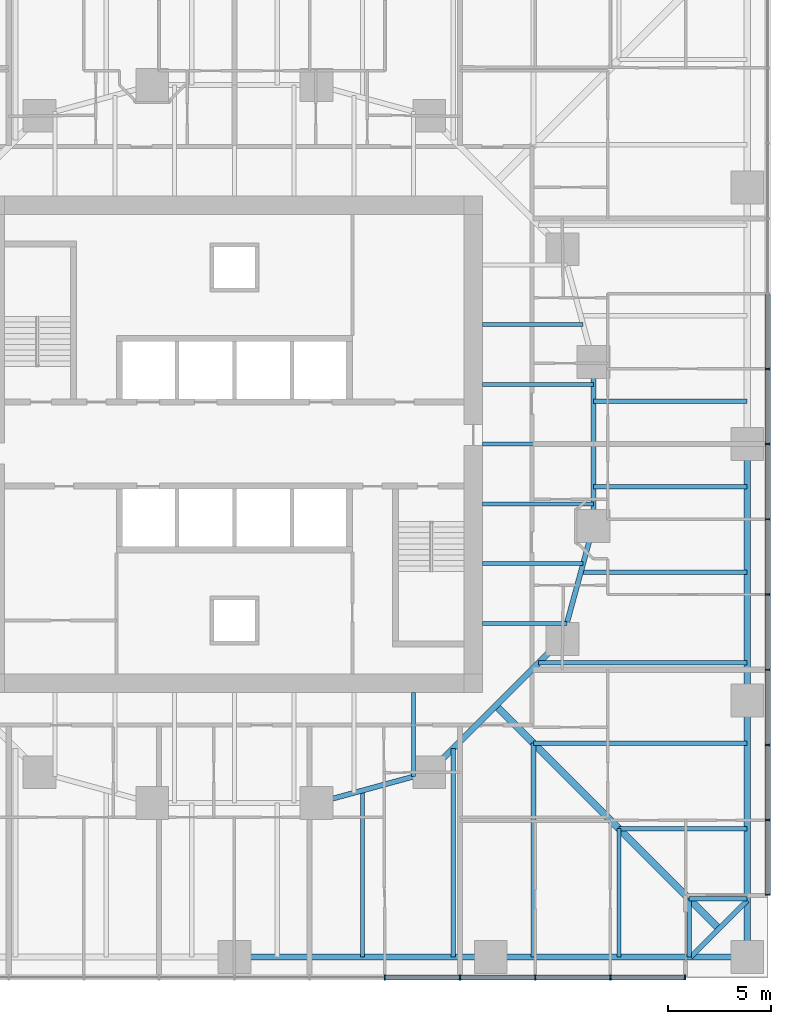
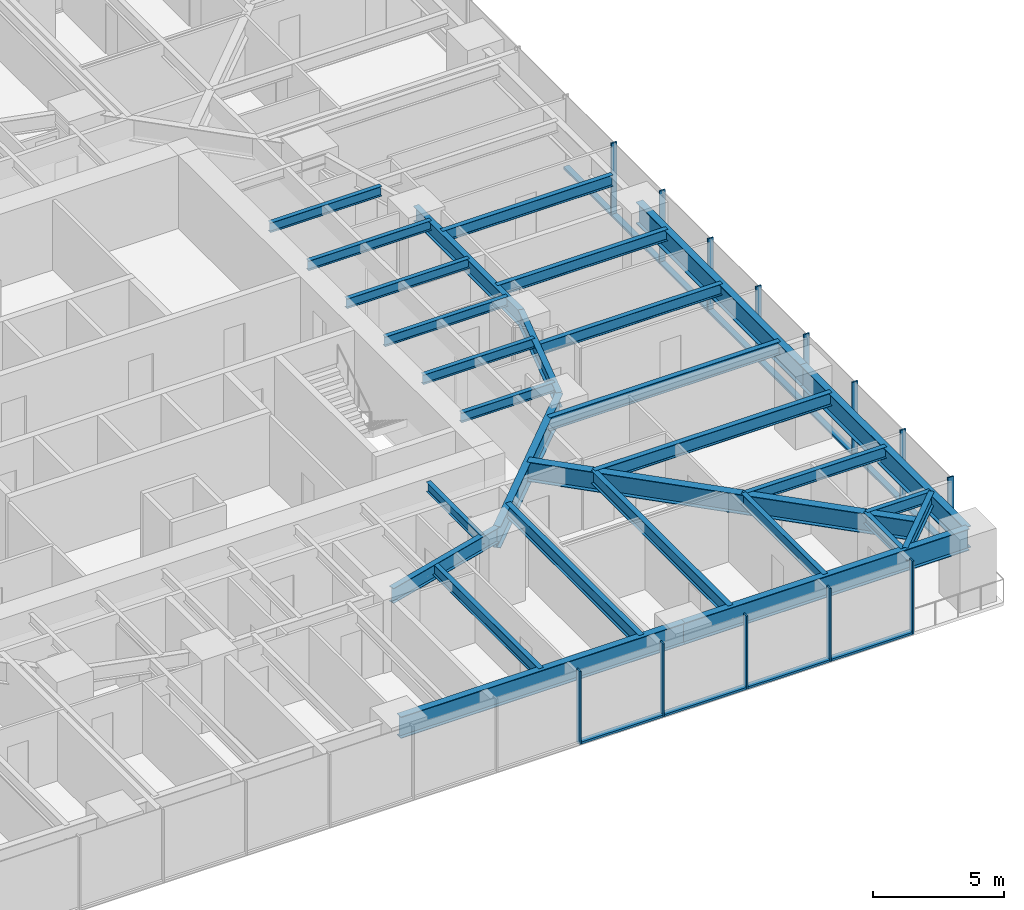
# One storey, part 4 of 16: 29 beams, 25 members, 2 elements without a shape of their own.
"""IFC4 building model written with IfcOpenShell, lengths in metres."""

from ifc_helpers import new_model, si_unit, direction, frame, origin, origin_2d, place, context, subcontext, project, spatial, rectangle, i_section, extrude, material, material_profile, profile_set, type_object, element, aggregate, save


model = new_model("IFC4")

# Units and contexts
model_context = context("Model", 3, precision=1e-05, world=origin(), true_north=direction((0.0, 1.0)))
body_context = subcontext(model_context, "Body", "Model", "MODEL_VIEW")
ifc_project = project(units=[si_unit("LENGTHUNIT", "METRE"), si_unit("AREAUNIT", "SQUARE_METRE"), si_unit("VOLUMEUNIT", "CUBIC_METRE"), si_unit("PLANEANGLEUNIT", "RADIAN"), si_unit("MASSUNIT", "GRAM", prefix="KILO")], contexts=[model_context])

# Site, building, storey
site_placement = place(None, origin())
site = spatial("IfcSite", under=ifc_project, at=site_placement, CompositionType="ELEMENT")
building_placement = place(site_placement, origin())
building = spatial("IfcBuilding", under=site, at=building_placement, Name="Torsade Residences", CompositionType="ELEMENT")
storey_placement = place(building_placement, frame((0.0, 0.0, 35.39990234375)))
storey = spatial("IfcBuildingStorey", under=building, at=storey_placement, Name="L09", CompositionType="ELEMENT", Elevation=35.39990234375)

# Beams
ifc_material_1 = material(Name="Steel grade 300", Category="steel")
ifc_material_profile_1 = material_profile(ifc_material_1, i_section(OverallWidth=0.35009765625, OverallDepth=0.909912109375, WebThickness=0.011962890625, FlangeThickness=0.02490234375, at=origin_2d()), Name="900WB218")
ifc_profile_set_1 = profile_set([ifc_material_profile_1], Name="Steel grade 300")
beam_type_1 = type_object("IfcBeamType", Name="CORNER GIRDER 900WB218", PredefinedType="BEAM", material=ifc_profile_set_1)
beam_1_placement = place(storey_placement, frame((63.625, 6.375, 2.795166015625), z_axis=(-0.707106781187, 0.707106781187, 0.0), x_axis=(-0.707106781187, -0.707106781187, 0.0)))
element("IfcBeam", 1, at=beam_1_placement, inside=storey, type_object=beam_type_1, Name="Corner girder 05 L10", PredefinedType="BEAM", context=body_context, shape_type="SweptSolid", body=[
    extrude(i_section(OverallWidth=0.35009765625, OverallDepth=0.909912109375, WebThickness=0.011962890625, FlangeThickness=0.02490234375, at=origin_2d()), origin(), (0.0, 0.0, 1.0), 15.379638671875),
])
ifc_material_2 = material(Name="Steel grade 300", Category="steel")
ifc_material_profile_2 = material_profile(ifc_material_2, i_section(OverallWidth=0.22802734375, OverallDepth=0.60205078125, WebThickness=0.010498046875, FlangeThickness=0.014892578125, FilletRadius=0.013916015625, at=origin_2d()), Name="610UB101")
ifc_profile_set_2 = profile_set([ifc_material_profile_2], Name="Steel grade 300")
beam_type_2 = type_object("IfcBeamType", Name="CORNER TRIMMER 610UB101", PredefinedType="BEAM", material=ifc_profile_set_2)
beam_2_placement = place(storey_placement, frame((65.0, 7.75, 2.94921875), z_axis=(-0.707106781187, -0.707106781187, 0.0), x_axis=(0.707106781187, -0.707106781187, 0.0)))
element("IfcBeam", 2, at=beam_2_placement, inside=storey, type_object=beam_type_2, Name="Corner trimmer 05 L10", PredefinedType="BEAM", context=body_context, shape_type="SweptSolid", body=[
    extrude(i_section(OverallWidth=0.22802734375, OverallDepth=0.60205078125, WebThickness=0.010498046875, FlangeThickness=0.014892578125, FilletRadius=0.013916015625, at=origin_2d()), origin(), (0.0, 0.0, 1.0), 3.88916015625),
])

# Curtain wall, members
ifc_material_3 = material(Name="Aluminium and glass", Category="aluminium")
curtain_wall_type = type_object("IfcCurtainWallType", Name="FRITTED GLASS CURTAIN WALL LOW ZONE", PredefinedType="NOTDEFINED", material=ifc_material_3)
curtain_wall_1_placement = place(storey_placement, origin())
curtain_wall_1 = element("IfcCurtainWall", 3, at=curtain_wall_1_placement, inside=storey, type_object=curtain_wall_type, Name="Curtain wall L09 face 1", PredefinedType="NOTDEFINED")
ifc_material_4 = material(Name="Aluminium mullion", Category="aluminium")
ifc_material_profile_3 = material_profile(ifc_material_4, rectangle(XDim=0.25, YDim=0.06494140625, at=origin_2d()), Name="CURTAIN WALL MULLION 250x65")
ifc_profile_set_3 = profile_set([ifc_material_profile_3], Name="Aluminium mullion")
member_type_1 = type_object("IfcMemberType", Name="CURTAIN WALL MULLION 250x65", PredefinedType="MULLION", material=ifc_profile_set_3)
member_1_placement = place(storey_placement, frame((47.333251953125, 4.0, 0.0), z_axis=(0.0, 0.0, 1.0), x_axis=(0.0, 1.0, 0.0)))
member_1 = element("IfcMember", 4, at=member_1_placement, type_object=member_type_1, Name="Mullion 9", PredefinedType="MULLION", context=body_context, shape_type="SweptSolid", body=[
    extrude(rectangle(XDim=0.25, YDim=0.06494140625, at=origin_2d()), origin(), (0.0, 0.0, 1.0), 3.400146484375),
])
member_2_placement = place(storey_placement, frame((51.0, 4.0, 0.0), z_axis=(0.0, 0.0, 1.0), x_axis=(0.0, 1.0, 0.0)))
member_2 = element("IfcMember", 5, at=member_2_placement, type_object=member_type_1, Name="Mullion 10", PredefinedType="MULLION", context=body_context, shape_type="SweptSolid", body=[
    extrude(rectangle(XDim=0.25, YDim=0.06494140625, at=origin_2d()), origin(), (0.0, 0.0, 1.0), 3.400146484375),
])
member_3_placement = place(storey_placement, frame((54.666748046875, 4.0, 0.0), z_axis=(0.0, 0.0, 1.0), x_axis=(0.0, 1.0, 0.0)))
member_3 = element("IfcMember", 6, at=member_3_placement, type_object=member_type_1, Name="Mullion 11", PredefinedType="MULLION", context=body_context, shape_type="SweptSolid", body=[
    extrude(rectangle(XDim=0.25, YDim=0.06494140625, at=origin_2d()), origin(), (0.0, 0.0, 1.0), 3.400146484375),
])
member_4_placement = place(storey_placement, frame((58.333251953125, 4.0, 0.0), z_axis=(0.0, 0.0, 1.0), x_axis=(0.0, 1.0, 0.0)))
member_4 = element("IfcMember", 7, at=member_4_placement, type_object=member_type_1, Name="Mullion 12", PredefinedType="MULLION", context=body_context, shape_type="SweptSolid", body=[
    extrude(rectangle(XDim=0.25, YDim=0.06494140625, at=origin_2d()), origin(), (0.0, 0.0, 1.0), 3.400146484375),
])
member_5_placement = place(storey_placement, frame((61.967529296875, 4.0, 0.0), z_axis=(0.0, 0.0, 1.0), x_axis=(0.0, 1.0, 0.0)))
member_5 = element("IfcMember", 8, at=member_5_placement, type_object=member_type_1, Name="Mullion 13", PredefinedType="MULLION", context=body_context, shape_type="SweptSolid", body=[
    extrude(rectangle(XDim=0.25, YDim=0.06494140625, at=origin_2d()), origin(), (0.0, 0.0, 1.0), 3.400146484375),
])

curtain_wall_2_placement = place(storey_placement, origin())
curtain_wall_2 = element("IfcCurtainWall", 9, at=curtain_wall_2_placement, inside=storey, type_object=curtain_wall_type, Name="Curtain wall L09 face 4", PredefinedType="NOTDEFINED")
member_6_placement = place(storey_placement, frame((66.0, 8.032470703125, 0.0), z_axis=(0.0, 0.0, 1.0), x_axis=(-1.0, 0.0, 0.0)))
member_6 = element("IfcMember", 10, at=member_6_placement, type_object=member_type_1, Name="Mullion 1", PredefinedType="MULLION", context=body_context, shape_type="SweptSolid", body=[
    extrude(rectangle(XDim=0.25, YDim=0.06494140625, at=origin_2d()), origin(), (0.0, 0.0, 1.0), 3.400146484375),
])
member_7_placement = place(storey_placement, frame((66.0, 11.666748046875, 0.0), z_axis=(0.0, 0.0, 1.0), x_axis=(-1.0, 0.0, 0.0)))
member_7 = element("IfcMember", 11, at=member_7_placement, type_object=member_type_1, Name="Mullion 2", PredefinedType="MULLION", context=body_context, shape_type="SweptSolid", body=[
    extrude(rectangle(XDim=0.25, YDim=0.06494140625, at=origin_2d()), origin(), (0.0, 0.0, 1.0), 3.400146484375),
])
member_8_placement = place(storey_placement, frame((66.0, 15.333251953125, 0.0), z_axis=(0.0, 0.0, 1.0), x_axis=(-1.0, 0.0, 0.0)))
member_8 = element("IfcMember", 12, at=member_8_placement, type_object=member_type_1, Name="Mullion 3", PredefinedType="MULLION", context=body_context, shape_type="SweptSolid", body=[
    extrude(rectangle(XDim=0.25, YDim=0.06494140625, at=origin_2d()), origin(), (0.0, 0.0, 1.0), 3.400146484375),
])
member_9_placement = place(storey_placement, frame((66.0, 19.0, 0.0), z_axis=(0.0, 0.0, 1.0), x_axis=(-1.0, 0.0, 0.0)))
member_9 = element("IfcMember", 13, at=member_9_placement, type_object=member_type_1, Name="Mullion 4", PredefinedType="MULLION", context=body_context, shape_type="SweptSolid", body=[
    extrude(rectangle(XDim=0.25, YDim=0.06494140625, at=origin_2d()), origin(), (0.0, 0.0, 1.0), 3.400146484375),
])
member_10_placement = place(storey_placement, frame((66.0, 22.666748046875, 0.0), z_axis=(0.0, 0.0, 1.0), x_axis=(-1.0, 0.0, 0.0)))
member_10 = element("IfcMember", 14, at=member_10_placement, type_object=member_type_1, Name="Mullion 5", PredefinedType="MULLION", context=body_context, shape_type="SweptSolid", body=[
    extrude(rectangle(XDim=0.25, YDim=0.06494140625, at=origin_2d()), origin(), (0.0, 0.0, 1.0), 3.400146484375),
])
member_11_placement = place(storey_placement, frame((66.0, 26.333251953125, 0.0), z_axis=(0.0, 0.0, 1.0), x_axis=(-1.0, 0.0, 0.0)))
member_11 = element("IfcMember", 15, at=member_11_placement, type_object=member_type_1, Name="Mullion 6", PredefinedType="MULLION", context=body_context, shape_type="SweptSolid", body=[
    extrude(rectangle(XDim=0.25, YDim=0.06494140625, at=origin_2d()), origin(), (0.0, 0.0, 1.0), 3.400146484375),
])
member_12_placement = place(storey_placement, frame((66.0, 30.0, 0.0), z_axis=(0.0, 0.0, 1.0), x_axis=(-1.0, 0.0, 0.0)))
member_12 = element("IfcMember", 16, at=member_12_placement, type_object=member_type_1, Name="Mullion 7", PredefinedType="MULLION", context=body_context, shape_type="SweptSolid", body=[
    extrude(rectangle(XDim=0.25, YDim=0.06494140625, at=origin_2d()), origin(), (0.0, 0.0, 1.0), 3.400146484375),
])
member_13_placement = place(storey_placement, frame((66.0, 33.666748046875, 0.0), z_axis=(0.0, 0.0, 1.0), x_axis=(-1.0, 0.0, 0.0)))
member_13 = element("IfcMember", 17, at=member_13_placement, type_object=member_type_1, Name="Mullion 8", PredefinedType="MULLION", context=body_context, shape_type="SweptSolid", body=[
    extrude(rectangle(XDim=0.25, YDim=0.06494140625, at=origin_2d()), origin(), (0.0, 0.0, 1.0), 3.400146484375),
])

# Member
ifc_material_5 = material(Name="Aluminium transom", Category="aluminium")
ifc_material_profile_4 = material_profile(ifc_material_5, rectangle(XDim=0.25, YDim=0.10009765625, at=origin_2d()), Name="CURTAIN WALL TRANSOM 250x100")
ifc_profile_set_4 = profile_set([ifc_material_profile_4], Name="Aluminium transom")
member_type_2 = type_object("IfcMemberType", Name="CURTAIN WALL TRANSOM 250x100", PredefinedType="USERDEFINED", material=ifc_profile_set_4)
member_14_placement = place(storey_placement, frame((47.36572265625, 4.0, 0.050048828125), z_axis=(1.0, 0.0, 0.0), x_axis=(0.0, 1.0, 0.0)))
member_14 = element("IfcMember", 18, at=member_14_placement, type_object=member_type_2, Name="Transom 9.1", ObjectType="TRANSOM", PredefinedType="USERDEFINED", context=body_context, shape_type="SweptSolid", body=[
    extrude(rectangle(XDim=0.25, YDim=0.10009765625, at=origin_2d()), origin(), (0.0, 0.0, 1.0), 3.601806640625),
])

member_15_placement = place(storey_placement, frame((51.032470703125, 4.0, 0.050048828125), z_axis=(1.0, 0.0, 0.0), x_axis=(0.0, 1.0, 0.0)))
member_15 = element("IfcMember", 19, at=member_15_placement, type_object=member_type_2, Name="Transom 10.1", ObjectType="TRANSOM", PredefinedType="USERDEFINED", context=body_context, shape_type="SweptSolid", body=[
    extrude(rectangle(XDim=0.25, YDim=0.10009765625, at=origin_2d()), origin(), (0.0, 0.0, 1.0), 3.601806640625),
])

member_16_placement = place(storey_placement, frame((54.69921875, 4.0, 0.050048828125), z_axis=(1.0, 0.0, 0.0), x_axis=(0.0, 1.0, 0.0)))
member_16 = element("IfcMember", 20, at=member_16_placement, type_object=member_type_2, Name="Transom 11.1", ObjectType="TRANSOM", PredefinedType="USERDEFINED", context=body_context, shape_type="SweptSolid", body=[
    extrude(rectangle(XDim=0.25, YDim=0.10009765625, at=origin_2d()), origin(), (0.0, 0.0, 1.0), 3.6015625),
])

member_17_placement = place(storey_placement, frame((58.36572265625, 4.0, 0.050048828125), z_axis=(1.0, 0.0, 0.0), x_axis=(0.0, 1.0, 0.0)))
member_17 = element("IfcMember", 21, at=member_17_placement, type_object=member_type_2, Name="Transom 12.1", ObjectType="TRANSOM", PredefinedType="USERDEFINED", context=body_context, shape_type="SweptSolid", body=[
    extrude(rectangle(XDim=0.25, YDim=0.10009765625, at=origin_2d()), origin(), (0.0, 0.0, 1.0), 3.5693359375),
])

aggregate(curtain_wall_1, [member_1, member_2, member_3, member_4, member_5, member_14, member_15, member_16, member_17])

member_18_placement = place(storey_placement, frame((66.0, 8.06494140625, 0.050048828125), z_axis=(0.0, 1.0, 0.0), x_axis=(-1.0, 0.0, 0.0)))
member_18 = element("IfcMember", 22, at=member_18_placement, type_object=member_type_2, Name="Transom 1.1", ObjectType="TRANSOM", PredefinedType="USERDEFINED", context=body_context, shape_type="SweptSolid", body=[
    extrude(rectangle(XDim=0.25, YDim=0.10009765625, at=origin_2d()), origin(), (0.0, 0.0, 1.0), 3.5693359375),
])

member_19_placement = place(storey_placement, frame((66.0, 11.69921875, 0.050048828125), z_axis=(0.0, 1.0, 0.0), x_axis=(-1.0, 0.0, 0.0)))
member_19 = element("IfcMember", 23, at=member_19_placement, type_object=member_type_2, Name="Transom 2.1", ObjectType="TRANSOM", PredefinedType="USERDEFINED", context=body_context, shape_type="SweptSolid", body=[
    extrude(rectangle(XDim=0.25, YDim=0.10009765625, at=origin_2d()), origin(), (0.0, 0.0, 1.0), 3.6015625),
])

member_20_placement = place(storey_placement, frame((66.0, 15.36572265625, 0.050048828125), z_axis=(0.0, 1.0, 0.0), x_axis=(-1.0, 0.0, 0.0)))
member_20 = element("IfcMember", 24, at=member_20_placement, type_object=member_type_2, Name="Transom 3.1", ObjectType="TRANSOM", PredefinedType="USERDEFINED", context=body_context, shape_type="SweptSolid", body=[
    extrude(rectangle(XDim=0.25, YDim=0.10009765625, at=origin_2d()), origin(), (0.0, 0.0, 1.0), 3.601806640625),
])

member_21_placement = place(storey_placement, frame((66.0, 19.032470703125, 0.050048828125), z_axis=(0.0, 1.0, 0.0), x_axis=(-1.0, 0.0, 0.0)))
member_21 = element("IfcMember", 25, at=member_21_placement, type_object=member_type_2, Name="Transom 4.1", ObjectType="TRANSOM", PredefinedType="USERDEFINED", context=body_context, shape_type="SweptSolid", body=[
    extrude(rectangle(XDim=0.25, YDim=0.10009765625, at=origin_2d()), origin(), (0.0, 0.0, 1.0), 3.601806640625),
])

member_22_placement = place(storey_placement, frame((66.0, 22.69921875, 0.050048828125), z_axis=(0.0, 1.0, 0.0), x_axis=(-1.0, 0.0, 0.0)))
member_22 = element("IfcMember", 26, at=member_22_placement, type_object=member_type_2, Name="Transom 5.1", ObjectType="TRANSOM", PredefinedType="USERDEFINED", context=body_context, shape_type="SweptSolid", body=[
    extrude(rectangle(XDim=0.25, YDim=0.10009765625, at=origin_2d()), origin(), (0.0, 0.0, 1.0), 3.6015625),
])

member_23_placement = place(storey_placement, frame((66.0, 26.36572265625, 0.050048828125), z_axis=(0.0, 1.0, 0.0), x_axis=(-1.0, 0.0, 0.0)))
member_23 = element("IfcMember", 27, at=member_23_placement, type_object=member_type_2, Name="Transom 6.1", ObjectType="TRANSOM", PredefinedType="USERDEFINED", context=body_context, shape_type="SweptSolid", body=[
    extrude(rectangle(XDim=0.25, YDim=0.10009765625, at=origin_2d()), origin(), (0.0, 0.0, 1.0), 3.601806640625),
])

member_24_placement = place(storey_placement, frame((66.0, 30.032470703125, 0.050048828125), z_axis=(0.0, 1.0, 0.0), x_axis=(-1.0, 0.0, 0.0)))
member_24 = element("IfcMember", 28, at=member_24_placement, type_object=member_type_2, Name="Transom 7.1", ObjectType="TRANSOM", PredefinedType="USERDEFINED", context=body_context, shape_type="SweptSolid", body=[
    extrude(rectangle(XDim=0.25, YDim=0.10009765625, at=origin_2d()), origin(), (0.0, 0.0, 1.0), 3.601806640625),
])

member_25_placement = place(storey_placement, frame((66.0, 33.69921875, 0.050048828125), z_axis=(0.0, 1.0, 0.0), x_axis=(-1.0, 0.0, 0.0)))
member_25 = element("IfcMember", 29, at=member_25_placement, type_object=member_type_2, Name="Transom 8.1", ObjectType="TRANSOM", PredefinedType="USERDEFINED", context=body_context, shape_type="SweptSolid", body=[
    extrude(rectangle(XDim=0.25, YDim=0.10009765625, at=origin_2d()), origin(), (0.0, 0.0, 1.0), 3.6015625),
])

aggregate(curtain_wall_2, [member_6, member_7, member_8, member_9, member_10, member_11, member_12, member_13, member_18, member_19, member_20, member_21, member_22, member_23, member_24, member_25])

# Beams
ifc_material_6 = material(Name="Steel grade 300", Category="steel")
ifc_material_profile_5 = material_profile(ifc_material_6, i_section(OverallWidth=0.300048828125, OverallDepth=1.0, WebThickness=0.01611328125, FlangeThickness=0.028076171875, at=origin_2d()), Name="1000WB215")
ifc_profile_set_5 = profile_set([ifc_material_profile_5], Name="Steel grade 300")
beam_type_3 = type_object("IfcBeamType", Name="EDGE BEAM 1000WB215", PredefinedType="SPANDREL", material=ifc_profile_set_5)
for number, where, z_axis, x_axis, name in (
    (30, (40.0, 5.0, 2.75), (1.0, 0.0, 0.0), (0.0, 1.0, 0.0), "Edge beam 03 L10"),
    (31, (52.5, 5.0, 2.75), (1.0, 0.0, 0.0), (0.0, 1.0, 0.0), "Edge beam 04 L10"),
    (32, (65.0, 5.0, 2.75), (0.0, 1.0, 0.0), (-1.0, 0.0, 0.0), "Edge beam 05 L10"),
    (33, (65.0, 17.5, 2.75), (0.0, 1.0, 0.0), (-1.0, 0.0, 0.0), "Edge beam 06 L10"),
):
    element("IfcBeam", number, at=place(storey_placement, frame(where, z_axis=z_axis, x_axis=x_axis)), inside=storey, type_object=beam_type_3, Name=name, PredefinedType="SPANDREL", context=body_context, shape_type="SweptSolid", body=[
        extrude(i_section(OverallWidth=0.300048828125, OverallDepth=1.0, WebThickness=0.01611328125, FlangeThickness=0.028076171875, at=origin_2d()), origin(), (0.0, 0.0, 1.0), 12.5),
    ])
ifc_material_7 = material(Name="Steel grade 300", Category="steel")
ifc_material_profile_6 = material_profile(ifc_material_7, i_section(OverallWidth=0.18994140625, OverallDepth=0.4541015625, WebThickness=0.008544921875, FlangeThickness=0.0126953125, FilletRadius=0.011474609375, at=origin_2d()), Name="460UB67.1")
ifc_profile_set_6 = profile_set([ifc_material_profile_6], Name="Steel grade 300")
beam_type_4 = type_object("IfcBeamType", Name="INNER FLOOR BEAM 460UB67.1", PredefinedType="JOIST", material=ifc_profile_set_6)
for number, where, z_axis, x_axis, name in (
    (34, (48.737548828125, 17.89990234375, 3.023193359375), (0.0, -1.0, 0.0), (1.0, 0.0, 0.0), "Inner floor beam IS01 L10"),
    (35, (52.10009765625, 21.262451171875, 3.023193359375), (1.0, 0.0, 0.0), (0.0, 1.0, 0.0), "Inner floor beam IE01 L10"),
):
    element("IfcBeam", number, at=place(storey_placement, frame(where, z_axis=z_axis, x_axis=x_axis)), inside=storey, type_object=beam_type_4, Name=name, PredefinedType="JOIST", context=body_context, shape_type="SweptSolid", body=[
        extrude(i_section(OverallWidth=0.18994140625, OverallDepth=0.4541015625, WebThickness=0.008544921875, FlangeThickness=0.0126953125, FilletRadius=0.011474609375, at=origin_2d()), origin(), (0.0, 0.0, 1.0), 4.10791015625),
    ])
beam_3_placement = place(storey_placement, frame((52.10009765625, 24.175048828125, 3.023193359375), z_axis=(1.0, 0.0, 0.0), x_axis=(0.0, 1.0, 0.0)))
element("IfcBeam", 36, at=beam_3_placement, inside=storey, type_object=beam_type_4, Name="Inner floor beam IE02 L10", PredefinedType="JOIST", context=body_context, shape_type="SweptSolid", body=[
    extrude(i_section(OverallWidth=0.18994140625, OverallDepth=0.4541015625, WebThickness=0.008544921875, FlangeThickness=0.0126953125, FilletRadius=0.011474609375, at=origin_2d()), origin(), (0.0, 0.0, 1.0), 4.902099609375),
])
for number, where, z_axis, x_axis, name in (
    (37, (52.10009765625, 27.08740234375, 3.023193359375), (1.0, 0.0, 0.0), (0.0, 1.0, 0.0), "Inner floor beam IE03 L10"),
    (38, (52.10009765625, 30.0, 3.023193359375), (1.0, 0.0, 0.0), (0.0, 1.0, 0.0), "Inner floor beam IE04 L10"),
    (39, (52.10009765625, 32.91259765625, 3.023193359375), (1.0, 0.0, 0.0), (0.0, 1.0, 0.0), "Inner floor beam IE05 L10"),
):
    element("IfcBeam", number, at=place(storey_placement, frame(where, z_axis=z_axis, x_axis=x_axis)), inside=storey, type_object=beam_type_4, Name=name, PredefinedType="JOIST", context=body_context, shape_type="SweptSolid", body=[
        extrude(i_section(OverallWidth=0.18994140625, OverallDepth=0.4541015625, WebThickness=0.008544921875, FlangeThickness=0.0126953125, FilletRadius=0.011474609375, at=origin_2d()), origin(), (0.0, 0.0, 1.0), 5.39990234375),
    ])
beam_4_placement = place(storey_placement, frame((52.10009765625, 35.824951171875, 3.023193359375), z_axis=(1.0, 0.0, 0.0), x_axis=(0.0, 1.0, 0.0)))
element("IfcBeam", 40, at=beam_4_placement, inside=storey, type_object=beam_type_4, Name="Inner floor beam IE06 L10", PredefinedType="JOIST", context=body_context, shape_type="SweptSolid", body=[
    extrude(i_section(OverallWidth=0.18994140625, OverallDepth=0.4541015625, WebThickness=0.008544921875, FlangeThickness=0.0126953125, FilletRadius=0.011474609375, at=origin_2d()), origin(), (0.0, 0.0, 1.0), 4.902099609375),
])
ifc_material_8 = material(Name="Steel grade 300", Category="steel")
ifc_material_profile_7 = material_profile(ifc_material_8, i_section(OverallWidth=0.300048828125, OverallDepth=1.0, WebThickness=0.01611328125, FlangeThickness=0.028076171875, at=origin_2d()), Name="1000WB215")
ifc_profile_set_7 = profile_set([ifc_material_profile_7], Name="Steel grade 300")
beam_type_5 = type_object("IfcBeamType", Name="RING CORNER GIRDER 1000WB215", PredefinedType="BEAM", material=ifc_profile_set_7)
beam_5_placement = place(storey_placement, frame((49.5, 14.0, 2.75), z_axis=(0.707106781187, 0.707106781187, 0.0), x_axis=(-0.707106781187, 0.707106781187, 0.0)))
element("IfcBeam", 41, at=beam_5_placement, inside=storey, type_object=beam_type_5, Name="Ring girder IR15 L10", PredefinedType="BEAM", context=body_context, shape_type="SweptSolid", body=[
    extrude(i_section(OverallWidth=0.300048828125, OverallDepth=1.0, WebThickness=0.01611328125, FlangeThickness=0.028076171875, at=origin_2d()), origin(), (0.0, 0.0, 1.0), 9.1923828125),
])
ifc_material_9 = material(Name="Steel grade 300", Category="steel")
ifc_material_profile_8 = material_profile(ifc_material_9, i_section(OverallWidth=0.25, OverallDepth=0.699951171875, WebThickness=0.010009765625, FlangeThickness=0.02001953125, at=origin_2d()), Name="700WB130")
ifc_profile_set_8 = profile_set([ifc_material_profile_8], Name="Steel grade 300")
beam_type_6 = type_object("IfcBeamType", Name="RING GIRDER 700WB130", PredefinedType="BEAM", material=ifc_profile_set_8)
beam_6_placement = place(storey_placement, frame((57.5, 26.0, 2.900146484375), z_axis=(0.0, 1.0, 0.0), x_axis=(-1.0, 0.0, 0.0)))
element("IfcBeam", 42, at=beam_6_placement, inside=storey, type_object=beam_type_6, Name="Ring girder IR01 L10", PredefinedType="BEAM", context=body_context, shape_type="SweptSolid", body=[
    extrude(i_section(OverallWidth=0.25, OverallDepth=0.699951171875, WebThickness=0.010009765625, FlangeThickness=0.02001953125, at=origin_2d()), origin(), (0.0, 0.0, 1.0), 8.0),
])
for number, where, z_axis, x_axis, name in (
    (43, (44.0, 12.5, 2.900146484375), (0.964763821238, 0.263117405792, 0.0), (-0.263117405792, 0.964763821238, 0.0), "Ring girder IR14 L10"),
    (44, (56.0, 20.5, 2.900146484375), (0.263117405792, 0.964763821238, 0.0), (-0.964763821238, 0.263117405792, 0.0), "Ring girder IR16 L10"),
):
    element("IfcBeam", number, at=place(storey_placement, frame(where, z_axis=z_axis, x_axis=x_axis)), inside=storey, type_object=beam_type_6, Name=name, PredefinedType="BEAM", context=body_context, shape_type="SweptSolid", body=[
        extrude(i_section(OverallWidth=0.25, OverallDepth=0.699951171875, WebThickness=0.010009765625, FlangeThickness=0.02001953125, at=origin_2d()), origin(), (0.0, 0.0, 1.0), 5.700927734375),
    ])
ifc_material_10 = material(Name="Steel grade 300", Category="steel")
ifc_material_profile_9 = material_profile(ifc_material_10, i_section(OverallWidth=0.208984375, OverallDepth=0.528076171875, WebThickness=0.009521484375, FlangeThickness=0.01318359375, FilletRadius=0.013916015625, at=origin_2d()), Name="530UB82.0")
ifc_profile_set_9 = profile_set([ifc_material_profile_9], Name="Steel grade 300")
beam_type_7 = type_object("IfcBeamType", Name="SECONDARY BEAM 530UB82.0", PredefinedType="JOIST", material=ifc_profile_set_9)
beam_7_placement = place(storey_placement, frame((46.25, 5.0, 2.986083984375), z_axis=(0.0, 1.0, 0.0), x_axis=(-1.0, 0.0, 0.0)))
element("IfcBeam", 45, at=beam_7_placement, inside=storey, type_object=beam_type_7, Name="Floor beam FS08 L10", PredefinedType="JOIST", context=body_context, shape_type="SweptSolid", body=[
    extrude(i_section(OverallWidth=0.208984375, OverallDepth=0.528076171875, WebThickness=0.009521484375, FlangeThickness=0.01318359375, FilletRadius=0.013916015625, at=origin_2d()), origin(), (0.0, 0.0, 1.0), 8.113525390625),
])
beam_8_placement = place(storey_placement, frame((58.75, 5.0, 2.986083984375), z_axis=(0.0, 1.0, 0.0), x_axis=(-1.0, 0.0, 0.0)))
element("IfcBeam", 46, at=beam_8_placement, inside=storey, type_object=beam_type_7, Name="Floor beam FS11 L10", PredefinedType="JOIST", context=body_context, shape_type="SweptSolid", body=[
    extrude(i_section(OverallWidth=0.208984375, OverallDepth=0.528076171875, WebThickness=0.009521484375, FlangeThickness=0.01318359375, FilletRadius=0.013916015625, at=origin_2d()), origin(), (0.0, 0.0, 1.0), 6.25),
])
for number, where, z_axis, x_axis, name in (
    (47, (62.166748046875, 5.0, 2.986083984375), (0.0, 1.0, 0.0), (-1.0, 0.0, 0.0), "Floor beam FS12 L10"),
    (48, (65.0, 7.833251953125, 2.986083984375), (-1.0, 0.0, 0.0), (0.0, -1.0, 0.0), "Floor beam FE01 L10"),
):
    element("IfcBeam", number, at=place(storey_placement, frame(where, z_axis=z_axis, x_axis=x_axis)), inside=storey, type_object=beam_type_7, Name=name, PredefinedType="JOIST", context=body_context, shape_type="SweptSolid", body=[
        extrude(i_section(OverallWidth=0.208984375, OverallDepth=0.528076171875, WebThickness=0.009521484375, FlangeThickness=0.01318359375, FilletRadius=0.013916015625, at=origin_2d()), origin(), (0.0, 0.0, 1.0), 2.833251953125),
    ])
beam_9_placement = place(storey_placement, frame((65.0, 11.25, 2.986083984375), z_axis=(-1.0, 0.0, 0.0), x_axis=(0.0, -1.0, 0.0)))
element("IfcBeam", 49, at=beam_9_placement, inside=storey, type_object=beam_type_7, Name="Floor beam FE02 L10", PredefinedType="JOIST", context=body_context, shape_type="SweptSolid", body=[
    extrude(i_section(OverallWidth=0.208984375, OverallDepth=0.528076171875, WebThickness=0.009521484375, FlangeThickness=0.01318359375, FilletRadius=0.013916015625, at=origin_2d()), origin(), (0.0, 0.0, 1.0), 6.25),
])
beam_10_placement = place(storey_placement, frame((65.0, 23.75, 2.986083984375), z_axis=(-1.0, 0.0, 0.0), x_axis=(0.0, -1.0, 0.0)))
element("IfcBeam", 50, at=beam_10_placement, inside=storey, type_object=beam_type_7, Name="Floor beam FE05 L10", PredefinedType="JOIST", context=body_context, shape_type="SweptSolid", body=[
    extrude(i_section(OverallWidth=0.208984375, OverallDepth=0.528076171875, WebThickness=0.009521484375, FlangeThickness=0.01318359375, FilletRadius=0.013916015625, at=origin_2d()), origin(), (0.0, 0.0, 1.0), 8.113525390625),
])
for number, where, z_axis, x_axis, name in (
    (51, (65.0, 27.916748046875, 2.986083984375), (-1.0, 0.0, 0.0), (0.0, -1.0, 0.0), "Floor beam FE06 L10"),
    (52, (65.0, 32.083251953125, 2.986083984375), (-1.0, 0.0, 0.0), (0.0, -1.0, 0.0), "Floor beam FE07 L10"),
):
    element("IfcBeam", number, at=place(storey_placement, frame(where, z_axis=z_axis, x_axis=x_axis)), inside=storey, type_object=beam_type_7, Name=name, PredefinedType="JOIST", context=body_context, shape_type="SweptSolid", body=[
        extrude(i_section(OverallWidth=0.208984375, OverallDepth=0.528076171875, WebThickness=0.009521484375, FlangeThickness=0.01318359375, FilletRadius=0.013916015625, at=origin_2d()), origin(), (0.0, 0.0, 1.0), 7.5),
    ])
ifc_material_11 = material(Name="Steel grade 300", Category="steel")
ifc_material_profile_10 = material_profile(ifc_material_11, i_section(OverallWidth=0.22900390625, OverallDepth=0.612060546875, WebThickness=0.011962890625, FlangeThickness=0.01953125, FilletRadius=0.013916015625, at=origin_2d()), Name="610UB125")
ifc_profile_set_10 = profile_set([ifc_material_profile_10], Name="Steel grade 300")
beam_type_8 = type_object("IfcBeamType", Name="SECONDARY BEAM 610UB125", PredefinedType="JOIST", material=ifc_profile_set_10)
beam_11_placement = place(storey_placement, frame((50.666748046875, 5.0, 2.944091796875), z_axis=(0.0, 1.0, 0.0), x_axis=(-1.0, 0.0, 0.0)))
element("IfcBeam", 53, at=beam_11_placement, inside=storey, type_object=beam_type_8, Name="Floor beam FS09 L10", PredefinedType="JOIST", context=body_context, shape_type="SweptSolid", body=[
    extrude(i_section(OverallWidth=0.22900390625, OverallDepth=0.612060546875, WebThickness=0.011962890625, FlangeThickness=0.01953125, FilletRadius=0.013916015625, at=origin_2d()), origin(), (0.0, 0.0, 1.0), 10.166748046875),
])
for number, where, z_axis, x_axis, name in (
    (54, (54.583251953125, 5.0, 2.944091796875), (0.0, 1.0, 0.0), (-1.0, 0.0, 0.0), "Floor beam FS10 L10"),
    (55, (65.0, 15.416748046875, 2.944091796875), (-1.0, 0.0, 0.0), (0.0, -1.0, 0.0), "Floor beam FE03 L10"),
):
    element("IfcBeam", number, at=place(storey_placement, frame(where, z_axis=z_axis, x_axis=x_axis)), inside=storey, type_object=beam_type_8, Name=name, PredefinedType="JOIST", context=body_context, shape_type="SweptSolid", body=[
        extrude(i_section(OverallWidth=0.22900390625, OverallDepth=0.612060546875, WebThickness=0.011962890625, FlangeThickness=0.01953125, FilletRadius=0.013916015625, at=origin_2d()), origin(), (0.0, 0.0, 1.0), 10.416748046875),
    ])
beam_12_placement = place(storey_placement, frame((65.0, 19.333251953125, 2.944091796875), z_axis=(-1.0, 0.0, 0.0), x_axis=(0.0, -1.0, 0.0)))
element("IfcBeam", 56, at=beam_12_placement, inside=storey, type_object=beam_type_8, Name="Floor beam FE04 L10", PredefinedType="JOIST", context=body_context, shape_type="SweptSolid", body=[
    extrude(i_section(OverallWidth=0.22900390625, OverallDepth=0.612060546875, WebThickness=0.011962890625, FlangeThickness=0.01953125, FilletRadius=0.013916015625, at=origin_2d()), origin(), (0.0, 0.0, 1.0), 10.166748046875),
])

save(model, "model.ifc")
